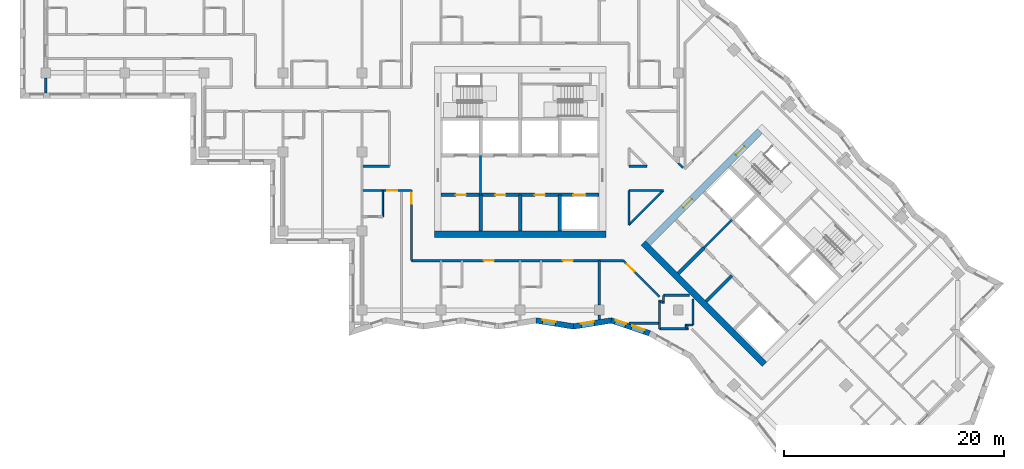
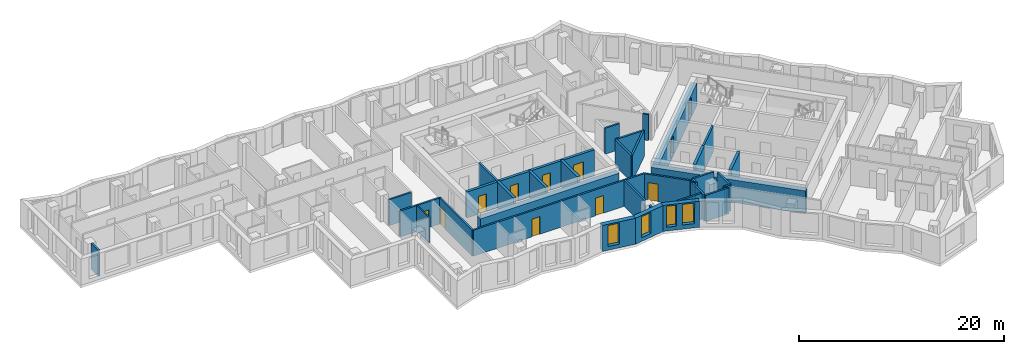
# One storey, part 3 of 12: 37 walls, 11 doors, 4 windows, 15 openings.
"""IFC4 building model written with IfcOpenShell, lengths in metres."""

from ifc_helpers import new_model, si_unit, direction, frame, frame_2d, origin, place, context, subcontext, project, spatial, polyline, rectangle, outline, extrude, material, layer, layer_set, type_object, element, fill, save


model = new_model("IFC4")

# Units and contexts
model_context = context("Model", 3, precision=1e-05, world=origin(), true_north=direction((0.0, 1.0)))
body_context = subcontext(model_context, "Body", "Model", "MODEL_VIEW")
ifc_project = project(units=[si_unit("LENGTHUNIT", "METRE"), si_unit("AREAUNIT", "SQUARE_METRE"), si_unit("VOLUMEUNIT", "CUBIC_METRE"), si_unit("PLANEANGLEUNIT", "RADIAN"), si_unit("MASSUNIT", "GRAM", prefix="KILO")], contexts=[model_context])

# Site, building, storey
site_placement = place(None, origin())
site = spatial("IfcSite", under=ifc_project, at=site_placement, CompositionType="ELEMENT")
building_placement = place(site_placement, origin())
building = spatial("IfcBuilding", under=site, at=building_placement, Name="Windrow Commons", CompositionType="ELEMENT")
storey_placement = place(building_placement, frame((0.0, 0.0, 162.6)))
storey = spatial("IfcBuildingStorey", under=building, at=storey_placement, Name="L44", CompositionType="ELEMENT", Elevation=162.6)

# Wall, opening, window
ifc_material_1 = material(Name="Brick masonry, red clay brick", Category="masonry")
ifc_layer_1 = layer(ifc_material_1, 0.5)
ifc_layer_set_1 = layer_set([ifc_layer_1], Name="Brick facade wall 500")
wall_type_1 = type_object("IfcWallType", Name="Brick facade wall 500", PredefinedType="SOLIDWALL", material=ifc_layer_set_1)
wall_1_placement = place(storey_placement, frame((66.2518, 42.2531, 0.0), z_axis=(0.0, 0.0, 1.0), x_axis=(0.9876056196, -0.1569558544, 0.0)))
wall_1 = element("IfcWall", 1, at=wall_1_placement, inside=storey, type_object=wall_type_1, Name="Brick facade wall L44 47", PredefinedType="SOLIDWALL", context=body_context, shape_type="SweptSolid", body=[
    extrude(outline(polyline([(0.0397, -0.25), (3.4929, -0.25), (3.4134, 0.25), (-0.0397, 0.25), (0.0397, -0.25)])), origin(), (0.0, 0.0, 1.0), 3.1),
])
opening_1_placement = place(wall_1_placement, frame((0.5876, 0.0, 0.45)))
opening_1 = element("IfcOpeningElement", 2, at=opening_1_placement, cuts=wall_1, Name="Opening W7E", PredefinedType="OPENING", context=body_context, shape_type="SweptSolid", body=[
    extrude(rectangle(XDim=1.2, YDim=2.5, at=frame_2d((0.6, 1.25))), frame((0.0, 0.26, 0.0), z_axis=(0.0, -1.0, 0.0), x_axis=(1.0, 0.0, 0.0)), (0.0, 0.0, 1.0), 0.52),
])
ifc_material_2 = material(Name="Clear float glass in anodised aluminium frame", Category="aluminium")
window_type_1 = type_object("IfcWindowType", Name="Window W7 notch 1200x2500", PartitioningType="SINGLE_PANEL", PredefinedType="WINDOW", material=ifc_material_2)
window_1_placement = place(opening_1_placement, origin())
window_1 = element("IfcWindow", 3, at=window_1_placement, inside=storey, type_object=window_type_1, Name="Window L44 47.1", OverallHeight=2.5, OverallWidth=1.2, PartitioningType="SINGLE_PANEL", PredefinedType="WINDOW", context=body_context, shape_type="SweptSolid", body=[
    extrude(rectangle(XDim=1.2, YDim=2.5, at=frame_2d((0.6, 1.25))), frame((0.0, 0.18, 0.0), z_axis=(0.0, -1.0, 0.0), x_axis=(1.0, 0.0, 0.0)), (0.0, 0.0, 1.0), 0.06),
])
fill(opening_1, window_1)

wall_2_placement = place(storey_placement, frame((69.6622, 41.7111, 0.0), z_axis=(0.0, 0.0, 1.0), x_axis=(0.9876042465, 0.1569644935, 0.0)))
wall_2 = element("IfcWall", 4, at=wall_2_placement, inside=storey, type_object=wall_type_1, Name="Brick facade wall L44 48", PredefinedType="SOLIDWALL", context=body_context, shape_type="SweptSolid", body=[
    extrude(outline(polyline([(-0.0397, -0.25), (3.4134, -0.25), (3.536, 0.25), (0.0397, 0.25), (-0.0397, -0.25)])), origin(), (0.0, 0.0, 1.0), 3.1),
])
opening_2_placement = place(wall_2_placement, frame((0.7035, 0.0, 0.45)))
opening_2 = element("IfcOpeningElement", 5, at=opening_2_placement, cuts=wall_2, Name="Opening W7E", PredefinedType="OPENING", context=body_context, shape_type="SweptSolid", body=[
    extrude(rectangle(XDim=1.2, YDim=2.5, at=frame_2d((0.6, 1.25))), frame((0.0, 0.26, 0.0), z_axis=(0.0, -1.0, 0.0), x_axis=(1.0, 0.0, 0.0)), (0.0, 0.0, 1.0), 0.52),
])
window_2_placement = place(opening_2_placement, origin())
window_2 = element("IfcWindow", 6, at=window_2_placement, inside=storey, type_object=window_type_1, Name="Window L44 48.1", OverallHeight=2.5, OverallWidth=1.2, PartitioningType="SINGLE_PANEL", PredefinedType="WINDOW", context=body_context, shape_type="SweptSolid", body=[
    extrude(rectangle(XDim=1.2, YDim=2.5, at=frame_2d((0.6, 1.25))), frame((0.0, 0.18, 0.0), z_axis=(0.0, -1.0, 0.0), x_axis=(1.0, 0.0, 0.0)), (0.0, 0.0, 1.0), 0.06),
])
fill(opening_2, window_2)

# Wall, openings, windows
wall_3_placement = place(storey_placement, frame((73.0938, 42.2565, 0.0), z_axis=(0.0, 0.0, 1.0), x_axis=(0.9482477624, -0.3175313861, 0.0)))
wall_3 = element("IfcWall", 7, at=wall_3_placement, inside=storey, type_object=wall_type_1, Name="Brick facade wall L44 49", PredefinedType="SOLIDWALL", context=body_context, shape_type="SweptSolid", body=[
    extrude(outline(polyline([(0.0613, -0.25), (3.6578, -0.25), (3.7048, 0.25), (-0.0613, 0.25), (0.0613, -0.25)])), origin(), (0.0, 0.0, 1.0), 3.1),
])
opening_3_placement = place(wall_3_placement, frame((0.376, 0.0, 0.45)))
opening_3 = element("IfcOpeningElement", 8, at=opening_3_placement, cuts=wall_3, Name="Opening W1S", PredefinedType="OPENING", context=body_context, shape_type="SweptSolid", body=[
    extrude(rectangle(XDim=1.0, YDim=2.5, at=frame_2d((0.5, 1.25))), frame((0.0, 0.26, 0.0), z_axis=(0.0, -1.0, 0.0), x_axis=(1.0, 0.0, 0.0)), (0.0, 0.0, 1.0), 0.52),
])
opening_4_placement = place(wall_3_placement, frame((1.9666, 0.0, 0.5)))
opening_4 = element("IfcOpeningElement", 9, at=opening_4_placement, cuts=wall_3, Name="Opening W7D", PredefinedType="OPENING", context=body_context, shape_type="SweptSolid", body=[
    extrude(rectangle(XDim=1.2, YDim=2.45, at=frame_2d((0.6, 1.225))), frame((0.0, 0.26, 0.0), z_axis=(0.0, -1.0, 0.0), x_axis=(1.0, 0.0, 0.0)), (0.0, 0.0, 1.0), 0.52),
])
ifc_material_3 = material(Name="Clear float glass in anodised aluminium frame", Category="aluminium")
window_type_2 = type_object("IfcWindowType", Name="Window W1S slit 1000x2500", PartitioningType="SINGLE_PANEL", PredefinedType="WINDOW", material=ifc_material_3)
window_3_placement = place(opening_3_placement, origin())
window_3 = element("IfcWindow", 10, at=window_3_placement, inside=storey, type_object=window_type_2, Name="Window L44 49.1A", OverallHeight=2.5, OverallWidth=1.0, PartitioningType="SINGLE_PANEL", PredefinedType="WINDOW", context=body_context, shape_type="SweptSolid", body=[
    extrude(rectangle(XDim=1.0, YDim=2.5, at=frame_2d((0.5, 1.25))), frame((0.0, 0.18, 0.0), z_axis=(0.0, -1.0, 0.0), x_axis=(1.0, 0.0, 0.0)), (0.0, 0.0, 1.0), 0.06),
])
fill(opening_3, window_3)
ifc_material_4 = material(Name="Clear float glass in anodised aluminium frame", Category="aluminium")
window_type_3 = type_object("IfcWindowType", Name="Window W7 notch 1200x2450", PartitioningType="SINGLE_PANEL", PredefinedType="WINDOW", material=ifc_material_4)
window_4_placement = place(opening_4_placement, origin())
window_4 = element("IfcWindow", 11, at=window_4_placement, inside=storey, type_object=window_type_3, Name="Window L44 49.1B", OverallHeight=2.45, OverallWidth=1.2, PartitioningType="SINGLE_PANEL", PredefinedType="WINDOW", context=body_context, shape_type="SweptSolid", body=[
    extrude(rectangle(XDim=1.2, YDim=2.45, at=frame_2d((0.6, 1.225))), frame((0.0, 0.18, 0.0), z_axis=(0.0, -1.0, 0.0), x_axis=(1.0, 0.0, 0.0)), (0.0, 0.0, 1.0), 0.06),
])
fill(opening_4, window_4)

# Walls
ifc_material_5 = material(Name="Blockwork partition", Category="masonry")
ifc_layer_2 = layer(ifc_material_5, 0.2)
ifc_layer_set_2 = layer_set([ifc_layer_2], Name="Fire lobby partition 200")
wall_type_2 = type_object("IfcWallType", Name="Fire lobby partition 200", PredefinedType="PARTITIONING", material=ifc_layer_set_2)
for number, where, z_axis, x_axis, name in (
    (12, (61.2, 53.7, 0.0), (0.0, 0.0, 1.0), (0.0, 1.0, 0.0), "W-core-lobby-A-L44"),
    (13, (81.5335, 48.8776, 0.0), (0.0, 0.0, 1.0), (0.707092892, 0.7071206701, 0.0), "W-core-lobby-B-L44"),
):
    element("IfcWall", number, at=place(storey_placement, frame(where, z_axis=z_axis, x_axis=x_axis)), inside=storey, type_object=wall_type_2, Name=name, PredefinedType="PARTITIONING", context=body_context, shape_type="SweptSolid", body=[
        extrude(rectangle(XDim=3.6, YDim=0.2, at=frame_2d((1.8, 0.0))), origin(), (0.0, 0.0, 1.0), 3.1),
    ])

# Wall, openings, doors
ifc_material_6 = material(Name="Blockwork partition", Category="masonry")
ifc_layer_3 = layer(ifc_material_6, 0.2)
ifc_layer_set_3 = layer_set([ifc_layer_3], Name="IW-CORRIDOR-200")
wall_type_3 = type_object("IfcWallType", Name="IW-CORRIDOR-200", PredefinedType="PARTITIONING", material=ifc_layer_set_3)
wall_4_placement = place(storey_placement, frame((54.9, 47.7, 0.0), z_axis=(0.0, 0.0, 1.0), x_axis=(1.0, 0.0, 0.0)))
wall_4 = element("IfcWall", 14, at=wall_4_placement, inside=storey, type_object=wall_type_3, Name="W-L44-W001", PredefinedType="PARTITIONING", context=body_context, shape_type="SweptSolid", body=[
    extrude(rectangle(XDim=19.326, YDim=0.2, at=frame_2d((9.663, 0.0))), origin(), (0.0, 0.0, 1.0), 3.1),
])
opening_5_placement = place(wall_4_placement, frame((6.5994, 0.0, 0.0)))
opening_5 = element("IfcOpeningElement", 15, at=opening_5_placement, cuts=wall_4, Name="Opening D109F", PredefinedType="OPENING", context=body_context, shape_type="SweptSolid", body=[
    extrude(rectangle(XDim=0.9, YDim=2.1, at=frame_2d((0.45, 1.05))), frame((0.0, 0.11, 0.0), z_axis=(0.0, -1.0, 0.0), x_axis=(1.0, 0.0, 0.0)), (0.0, 0.0, 1.0), 0.22),
])
opening_6_placement = place(wall_4_placement, frame((13.7994, 0.0, 0.0)))
opening_6 = element("IfcOpeningElement", 16, at=opening_6_placement, cuts=wall_4, Name="Opening D109F", PredefinedType="OPENING", context=body_context, shape_type="SweptSolid", body=[
    extrude(rectangle(XDim=0.9, YDim=2.1, at=frame_2d((0.45, 1.05))), frame((0.0, 0.11, 0.0), z_axis=(0.0, -1.0, 0.0), x_axis=(1.0, 0.0, 0.0)), (0.0, 0.0, 1.0), 0.22),
])
ifc_material_7 = material(Name="Timber door leaf", Category="wood")
door_type_1 = type_object("IfcDoorType", Name="DT-BEDROOM-900", OperationType="SINGLE_SWING_LEFT", PredefinedType="DOOR", material=ifc_material_7)
door_1_placement = place(opening_5_placement, origin())
door_1 = element("IfcDoor", 17, at=door_1_placement, inside=storey, type_object=door_type_1, Name="D-L44-D031", OperationType="SINGLE_SWING_LEFT", OverallHeight=2.1, OverallWidth=0.9, PredefinedType="DOOR", context=body_context, shape_type="SweptSolid", body=[
    extrude(rectangle(XDim=0.9, YDim=2.1, at=frame_2d((0.45, 1.05))), frame((0.0, 0.025, 0.0), z_axis=(0.0, -1.0, 0.0), x_axis=(1.0, 0.0, 0.0)), (0.0, 0.0, 1.0), 0.05),
])
fill(opening_5, door_1)
door_2_placement = place(opening_6_placement, origin())
door_2 = element("IfcDoor", 18, at=door_2_placement, inside=storey, type_object=door_type_1, Name="D-L44-D033", OperationType="SINGLE_SWING_LEFT", OverallHeight=2.1, OverallWidth=0.9, PredefinedType="DOOR", context=body_context, shape_type="SweptSolid", body=[
    extrude(rectangle(XDim=0.9, YDim=2.1, at=frame_2d((0.45, 1.05))), frame((0.0, 0.025, 0.0), z_axis=(0.0, -1.0, 0.0), x_axis=(1.0, 0.0, 0.0)), (0.0, 0.0, 1.0), 0.05),
])
fill(opening_6, door_2)

# Wall, opening, door
wall_5_placement = place(storey_placement, frame((54.9, 47.7, 0.0), z_axis=(0.0, 0.0, 1.0), x_axis=(0.0, 1.0, 0.0)))
wall_5 = element("IfcWall", 19, at=wall_5_placement, inside=storey, type_object=wall_type_3, Name="W-L44-W021", PredefinedType="PARTITIONING", context=body_context, shape_type="SweptSolid", body=[
    extrude(rectangle(XDim=6.4, YDim=0.2, at=frame_2d((3.2, 0.0))), origin(), (0.0, 0.0, 1.0), 3.1),
])
opening_7_placement = place(wall_5_placement, frame((5.1985, 0.0, 0.0)))
opening_7 = element("IfcOpeningElement", 20, at=opening_7_placement, cuts=wall_5, Name="Opening D310F", PredefinedType="OPENING", context=body_context, shape_type="SweptSolid", body=[
    extrude(rectangle(XDim=1.0, YDim=2.1, at=frame_2d((0.5, 1.05))), frame((0.0, 0.11, 0.0), z_axis=(0.0, -1.0, 0.0), x_axis=(1.0, 0.0, 0.0)), (0.0, 0.0, 1.0), 0.22),
])
ifc_material_8 = material(Name="Timber door leaf", Category="wood")
door_type_2 = type_object("IfcDoorType", Name="DT-AMENITY-1000", OperationType="SINGLE_SWING_LEFT", PredefinedType="DOOR", material=ifc_material_8)
door_3_placement = place(opening_7_placement, origin())
door_3 = element("IfcDoor", 21, at=door_3_placement, inside=storey, type_object=door_type_2, Name="D-L44-D028", OperationType="SINGLE_SWING_RIGHT", OverallHeight=2.1, OverallWidth=1.0, PredefinedType="DOOR", context=body_context, shape_type="SweptSolid", body=[
    extrude(rectangle(XDim=1.0, YDim=2.1, at=frame_2d((0.5, 1.05))), frame((0.0, 0.025, 0.0), z_axis=(0.0, -1.0, 0.0), x_axis=(1.0, 0.0, 0.0)), (0.0, 0.0, 1.0), 0.05),
])
fill(opening_7, door_3)

wall_6_placement = place(storey_placement, frame((74.2227, 47.6967, 0.0), z_axis=(0.0, 0.0, 1.0), x_axis=(0.7071067812, -0.7071067812, 0.0)))
wall_6 = element("IfcWall", 22, at=wall_6_placement, inside=storey, type_object=wall_type_3, Name="W-L44-W034", PredefinedType="PARTITIONING", context=body_context, shape_type="SweptSolid", body=[
    extrude(rectangle(XDim=4.6301, YDim=0.2, at=frame_2d((2.315, 0.0))), origin(), (0.0, 0.0, 1.0), 3.1),
])
opening_8_placement = place(wall_6_placement, frame((0.4008, 0.0, 0.0)))
opening_8 = element("IfcOpeningElement", 23, at=opening_8_placement, cuts=wall_6, Name="Opening D310F", PredefinedType="OPENING", context=body_context, shape_type="SweptSolid", body=[
    extrude(rectangle(XDim=1.0, YDim=2.1, at=frame_2d((0.5, 1.05))), frame((0.0, 0.11, 0.0), z_axis=(0.0, -1.0, 0.0), x_axis=(1.0, 0.0, 0.0)), (0.0, 0.0, 1.0), 0.22),
])
door_4_placement = place(opening_8_placement, origin())
door_4 = element("IfcDoor", 24, at=door_4_placement, inside=storey, type_object=door_type_2, Name="D-L44-D035", OperationType="SINGLE_SWING_LEFT", OverallHeight=2.1, OverallWidth=1.0, PredefinedType="DOOR", context=body_context, shape_type="SweptSolid", body=[
    extrude(rectangle(XDim=1.0, YDim=2.1, at=frame_2d((0.5, 1.05))), frame((0.0, 0.025, 0.0), z_axis=(0.0, -1.0, 0.0), x_axis=(1.0, 0.0, 0.0)), (0.0, 0.0, 1.0), 0.05),
])
fill(opening_8, door_4)

wall_7_placement = place(storey_placement, frame((50.4, 54.1, 0.0), z_axis=(0.0, 0.0, 1.0), x_axis=(1.0, 0.0, 0.0)))
wall_7 = element("IfcWall", 25, at=wall_7_placement, inside=storey, type_object=wall_type_3, Name="W-L44-W036", PredefinedType="PARTITIONING", context=body_context, shape_type="SweptSolid", body=[
    extrude(rectangle(XDim=4.5, YDim=0.2, at=frame_2d((2.25, 0.0))), origin(), (0.0, 0.0, 1.0), 3.1),
])
opening_9_placement = place(wall_7_placement, frame((2.3, 0.0, 0.0)))
opening_9 = element("IfcOpeningElement", 26, at=opening_9_placement, cuts=wall_7, Name="Opening D109S", PredefinedType="OPENING", context=body_context, shape_type="SweptSolid", body=[
    extrude(rectangle(XDim=0.9, YDim=2.1, at=frame_2d((0.45, 1.05))), frame((0.0, 0.11, 0.0), z_axis=(0.0, -1.0, 0.0), x_axis=(1.0, 0.0, 0.0)), (0.0, 0.0, 1.0), 0.22),
])
door_5_placement = place(opening_9_placement, origin())
door_5 = element("IfcDoor", 27, at=door_5_placement, inside=storey, type_object=door_type_1, Name="D-L44-D026", OperationType="SINGLE_SWING_LEFT", OverallHeight=2.1, OverallWidth=0.9, PredefinedType="DOOR", context=body_context, shape_type="SweptSolid", body=[
    extrude(rectangle(XDim=0.9, YDim=2.1, at=frame_2d((0.45, 1.05))), frame((0.0, 0.025, 0.0), z_axis=(0.0, -1.0, 0.0), x_axis=(1.0, 0.0, 0.0)), (0.0, 0.0, 1.0), 0.05),
])
fill(opening_9, door_5)

# Walls
wall_8_placement = place(storey_placement, frame((74.7013, 50.9567, 0.0), z_axis=(0.0, 0.0, 1.0), x_axis=(0.7071067812, 0.7071067812, 0.0)))
element("IfcWall", 28, at=wall_8_placement, inside=storey, type_object=wall_type_3, Name="W-L44-W038", PredefinedType="PARTITIONING", context=body_context, shape_type="SweptSolid", body=[
    extrude(rectangle(XDim=4.4435, YDim=0.2, at=frame_2d((2.2218, 0.0))), origin(), (0.0, 0.0, 1.0), 3.1),
])
wall_9_placement = place(storey_placement, frame((74.7, 50.956, 0.0), z_axis=(0.0, 0.0, 1.0), x_axis=(0.0, 1.0, 0.0)))
element("IfcWall", 29, at=wall_9_placement, inside=storey, type_object=wall_type_3, Name="W-L44-W058", PredefinedType="PARTITIONING", context=body_context, shape_type="SweptSolid", body=[
    extrude(rectangle(XDim=3.144, YDim=0.2, at=frame_2d((1.572, 0.0))), origin(), (0.0, 0.0, 1.0), 3.1),
])
wall_10_placement = place(storey_placement, frame((74.702, 54.1, 0.0), z_axis=(0.0, 0.0, 1.0), x_axis=(1.0, 0.0, 0.0)))
element("IfcWall", 30, at=wall_10_placement, inside=storey, type_object=wall_type_3, Name="W-L44-W059", PredefinedType="PARTITIONING", context=body_context, shape_type="SweptSolid", body=[
    extrude(rectangle(XDim=3.142, YDim=0.2, at=frame_2d((1.571, 0.0))), origin(), (0.0, 0.0, 1.0), 3.1),
])
wall_11_placement = place(storey_placement, frame((50.4, 56.3, 0.0), z_axis=(0.0, 0.0, 1.0), x_axis=(1.0, 0.0, 0.0)))
element("IfcWall", 31, at=wall_11_placement, inside=storey, type_object=wall_type_3, Name="W-L44-W066", PredefinedType="PARTITIONING", context=body_context, shape_type="SweptSolid", body=[
    extrude(rectangle(XDim=2.5, YDim=0.2, at=frame_2d((1.25, 0.0))), origin(), (0.0, 0.0, 1.0), 3.1),
])
for number, where, z_axis, x_axis, name in (
    (32, (80.55, 41.852, 0.0), (0.0, 0.0, 1.0), (0.0, 1.0, 0.0), "W-L44-W103"),
    (33, (77.852, 44.55, 0.0), (0.0, 0.0, 1.0), (1.0, 0.0, 0.0), "W-L44-W104"),
):
    element("IfcWall", number, at=place(storey_placement, frame(where, z_axis=z_axis, x_axis=x_axis)), inside=storey, type_object=wall_type_3, Name=name, PredefinedType="PARTITIONING", context=body_context, shape_type="SweptSolid", body=[
        extrude(rectangle(XDim=2.38, YDim=0.2, at=frame_2d((1.19, 0.0))), origin(), (0.0, 0.0, 1.0), 3.1),
    ])
wall_12_placement = place(storey_placement, frame((74.702, 56.3, 0.0), z_axis=(0.0, 0.0, 1.0), x_axis=(1.0, 0.0, 0.0)))
element("IfcWall", 34, at=wall_12_placement, inside=storey, type_object=wall_type_3, Name="W-L44-W130", PredefinedType="PARTITIONING", context=body_context, shape_type="SweptSolid", body=[
    extrude(rectangle(XDim=1.67, YDim=0.2, at=frame_2d((0.835, 0.0))), origin(), (0.0, 0.0, 1.0), 3.1),
])
for number, where, z_axis, x_axis, name in (
    (35, (77.85, 43.792, 0.0), (0.0, 0.0, 1.0), (0.0, 1.0, 0.0), "W-L44-W154"),
    (36, (79.792, 41.85, 0.0), (0.0, 0.0, 1.0), (1.0, 0.0, 0.0), "W-L44-W155"),
):
    element("IfcWall", number, at=place(storey_placement, frame(where, z_axis=z_axis, x_axis=x_axis)), inside=storey, type_object=wall_type_3, Name=name, PredefinedType="PARTITIONING", context=body_context, shape_type="SweptSolid", body=[
        extrude(rectangle(XDim=0.758, YDim=0.2, at=frame_2d((0.379, 0.0))), origin(), (0.0, 0.0, 1.0), 3.1),
    ])
wall_13_placement = place(storey_placement, frame((79.1982, 56.5842, 0.0), z_axis=(0.0, 0.0, 1.0), x_axis=(0.7054410477, -0.7087685999, 0.0)))
element("IfcWall", 37, at=wall_13_placement, inside=storey, type_object=wall_type_3, Name="W-L44-W163", PredefinedType="PARTITIONING", context=body_context, shape_type="SweptSolid", body=[
    extrude(rectangle(XDim=0.601, YDim=0.2, at=frame_2d((0.3005, 0.0))), origin(), (0.0, 0.0, 1.0), 3.1),
])
for number, where, z_axis, x_axis, name in (
    (38, (79.8812, 41.7553, 0.0), (0.0, 0.0, 1.0), (0.7071067812, -0.7071067812, 0.0), "W-L44-W173"),
    (39, (77.5962, 44.0403, 0.0), (0.0, 0.0, 1.0), (0.7071067812, -0.7071067812, 0.0), "W-L44-W174"),
):
    element("IfcWall", number, at=place(storey_placement, frame(where, z_axis=z_axis, x_axis=x_axis)), inside=storey, type_object=wall_type_3, Name=name, PredefinedType="PARTITIONING", context=body_context, shape_type="SweptSolid", body=[
        extrude(rectangle(XDim=0.225, YDim=0.2, at=frame_2d((0.1125, 0.0))), origin(), (0.0, 0.0, 1.0), 3.1),
    ])
ifc_material_9 = material(Name="Blockwork partition", Category="masonry")
ifc_layer_4 = layer(ifc_material_9, 0.15)
ifc_layer_set_4 = layer_set([ifc_layer_4], Name="IW-ENSUITE-150")
wall_type_4 = type_object("IfcWallType", Name="IW-ENSUITE-150", PredefinedType="PARTITIONING", material=ifc_layer_set_4)
wall_14_placement = place(storey_placement, frame((52.3, 51.7, 0.0), z_axis=(0.0, 0.0, 1.0), x_axis=(0.0, 1.0, 0.0)))
element("IfcWall", 40, at=wall_14_placement, inside=storey, type_object=wall_type_4, Name="W-L44-W096", PredefinedType="PARTITIONING", context=body_context, shape_type="SweptSolid", body=[
    extrude(rectangle(XDim=2.4, YDim=0.15, at=frame_2d((1.2, 0.0))), origin(), (0.0, 0.0, 1.0), 3.1),
])
ifc_material_10 = material(Name="Blockwork partition", Category="masonry")
ifc_layer_5 = layer(ifc_material_10, 0.2)
ifc_layer_set_5 = layer_set([ifc_layer_5], Name="IW-PARTY-200")
wall_type_5 = type_object("IfcWallType", Name="IW-PARTY-200", PredefinedType="PARTITIONING", material=ifc_layer_set_5)
wall_15_placement = place(storey_placement, frame((72.0, 43.65, 0.0), z_axis=(0.0, 0.0, 1.0), x_axis=(0.0, 1.0, 0.0)))
element("IfcWall", 41, at=wall_15_placement, inside=storey, type_object=wall_type_5, Name="W-L44-W041", PredefinedType="PARTITIONING", context=body_context, shape_type="SweptSolid", body=[
    extrude(rectangle(XDim=4.05, YDim=0.2, at=frame_2d((2.025, 0.0))), origin(), (0.0, 0.0, 1.0), 3.1),
])
wall_16_placement = place(storey_placement, frame((74.6972, 42.0, 0.0), z_axis=(0.0, 0.0, 1.0), x_axis=(1.0, 0.0, 0.0)))
element("IfcWall", 42, at=wall_16_placement, inside=storey, type_object=wall_type_5, Name="W-L44-W062", PredefinedType="PARTITIONING", context=body_context, shape_type="SweptSolid", body=[
    extrude(rectangle(XDim=2.8028, YDim=0.2, at=frame_2d((1.4014, 0.0))), origin(), (0.0, 0.0, 1.0), 3.1),
])
for number, where, z_axis, x_axis, name in (
    (43, (77.5, 41.502, 0.0), (0.0, 0.0, 1.0), (0.0, 1.0, 0.0), "W-L44-W063"),
    (44, (77.502, 41.5, 0.0), (0.0, 0.0, 1.0), (1.0, 0.0, 0.0), "W-L44-W064"),
):
    element("IfcWall", number, at=place(storey_placement, frame(where, z_axis=z_axis, x_axis=x_axis)), inside=storey, type_object=wall_type_5, Name=name, PredefinedType="PARTITIONING", context=body_context, shape_type="SweptSolid", body=[
        extrude(rectangle(XDim=2.64, YDim=0.2, at=frame_2d((1.32, 0.0))), origin(), (0.0, 0.0, 1.0), 3.1),
    ])
wall_17_placement = place(storey_placement, frame((21.6, 62.958, 0.0), z_axis=(0.0, 0.0, 1.0), x_axis=(0.0, 1.0, 0.0)))
element("IfcWall", 45, at=wall_17_placement, inside=storey, type_object=wall_type_5, Name="W-L44-W136", PredefinedType="PARTITIONING", context=body_context, shape_type="SweptSolid", body=[
    extrude(rectangle(XDim=1.392, YDim=0.2, at=frame_2d((0.696, 0.0))), origin(), (0.0, 0.0, 1.0), 3.1),
])
wall_18_placement = place(storey_placement, frame((72.0, 42.3358, 0.0), z_axis=(0.0, 0.0, 1.0), x_axis=(0.0, 1.0, 0.0)))
element("IfcWall", 46, at=wall_18_placement, inside=storey, type_object=wall_type_5, Name="W-L44-W191", PredefinedType="PARTITIONING", context=body_context, shape_type="SweptSolid", body=[
    extrude(rectangle(XDim=0.4142, YDim=0.2, at=frame_2d((0.2071, 0.0))), origin(), (0.0, 0.0, 1.0), 3.1),
])
ifc_material_11 = material(Name="Concrete C50/60", Category="concrete")
ifc_layer_6 = layer(ifc_material_11, 0.6)
ifc_layer_set_6 = layer_set([ifc_layer_6], Name="RC CORE WALL 600 C50/60")
wall_type_6 = type_object("IfcWallType", Name="RC CORE WALL 600 C50/60", PredefinedType="SHEAR", material=ifc_layer_set_6)
for number, where, z_axis, x_axis, name in (
    (47, (57.0, 50.1, -0.3), (0.0, 0.0, 1.0), (1.0, 0.0, 0.0), "Core A wall outer-S"),
    (48, (76.018, 49.3019, -0.3), (0.0, 0.0, 1.0), (0.7071067812, -0.7071067812, 0.0), "Core B wall outer-S"),
):
    element("IfcWall", number, at=place(storey_placement, frame(where, z_axis=z_axis, x_axis=x_axis)), inside=storey, type_object=wall_type_6, Name=name, PredefinedType="SHEAR", context=body_context, shape_type="SweptSolid", body=[
        extrude(rectangle(XDim=15.6, YDim=0.6, at=frame_2d((7.8, 0.0))), origin(), (0.0, 0.0, 1.0), 2.7),
    ])

# Wall, openings, doors
wall_19_placement = place(storey_placement, frame((76.4423, 49.3019, -0.3), z_axis=(0.0, 0.0, 1.0), x_axis=(0.7071067812, 0.7071067812, 0.0)))
wall_19 = element("IfcWall", 49, at=wall_19_placement, inside=storey, type_object=wall_type_6, Name="Core B wall outer-W", PredefinedType="SHEAR", context=body_context, shape_type="SweptSolid", body=[
    extrude(rectangle(XDim=14.3999, YDim=0.6, at=frame_2d((7.2, 0.0))), origin(), (0.0, 0.0, 1.0), 2.7),
])
opening_10_placement = place(wall_19_placement, frame((4.55, 0.0, 0.3)))
opening_10 = element("IfcOpeningElement", 50, at=opening_10_placement, cuts=wall_19, Name="Opening D6", PredefinedType="OPENING", context=body_context, shape_type="SweptSolid", body=[
    extrude(rectangle(XDim=1.1, YDim=2.1, at=frame_2d((0.55, 1.05))), frame((0.0, 0.31, 0.0), z_axis=(0.0, -1.0, 0.0), x_axis=(1.0, 0.0, 0.0)), (0.0, 0.0, 1.0), 0.62),
])
opening_11_placement = place(wall_19_placement, frame((11.35, 0.0, 0.3)))
opening_11 = element("IfcOpeningElement", 51, at=opening_11_placement, cuts=wall_19, Name="Opening D7", PredefinedType="OPENING", context=body_context, shape_type="SweptSolid", body=[
    extrude(rectangle(XDim=1.1, YDim=2.1, at=frame_2d((0.55, 1.05))), frame((0.0, 0.31, 0.0), z_axis=(0.0, -1.0, 0.0), x_axis=(1.0, 0.0, 0.0)), (0.0, 0.0, 1.0), 0.62),
])
ifc_material_12 = material(Name="Steel fire door leaf", Category="steel")
door_type_3 = type_object("IfcDoorType", Name="Core lobby door 1100", OperationType="SINGLE_SWING_LEFT", PredefinedType="DOOR", material=ifc_material_12)
door_6_placement = place(opening_10_placement, origin())
door_6 = element("IfcDoor", 52, at=door_6_placement, inside=storey, type_object=door_type_3, Name="Lift lobby door", OperationType="DOUBLE_DOOR_SINGLE_SWING", OverallHeight=2.1, OverallWidth=1.1, PredefinedType="DOOR", context=body_context, shape_type="SweptSolid", body=[
    extrude(rectangle(XDim=1.1, YDim=2.1, at=frame_2d((0.55, 1.05))), frame((0.0, 0.025, 0.0), z_axis=(0.0, -1.0, 0.0), x_axis=(1.0, 0.0, 0.0)), (0.0, 0.0, 1.0), 0.05),
])
fill(opening_10, door_6)
ifc_material_13 = material(Name="Steel fire door leaf", Category="steel")
door_type_4 = type_object("IfcDoorType", Name="Stair door 1100", OperationType="SINGLE_SWING_LEFT", PredefinedType="DOOR", material=ifc_material_13)
door_7_placement = place(opening_11_placement, origin())
door_7 = element("IfcDoor", 53, at=door_7_placement, inside=storey, type_object=door_type_4, Name="Stair door", OperationType="SINGLE_SWING_LEFT", OverallHeight=2.1, OverallWidth=1.1, PredefinedType="DOOR", context=body_context, shape_type="SweptSolid", body=[
    extrude(rectangle(XDim=1.1, YDim=2.1, at=frame_2d((0.55, 1.05))), frame((0.0, 0.025, 0.0), z_axis=(0.0, -1.0, 0.0), x_axis=(1.0, 0.0, 0.0)), (0.0, 0.0, 1.0), 0.05),
])
fill(opening_11, door_7)

# Walls
ifc_material_14 = material(Name="Concrete C50/60", Category="concrete")
ifc_layer_7 = layer(ifc_material_14, 0.3)
ifc_layer_set_7 = layer_set([ifc_layer_7], Name="RC SHAFT WALL 300 C50/60")
wall_type_7 = type_object("IfcWallType", Name="RC SHAFT WALL 300 C50/60", PredefinedType="SOLIDWALL", material=ifc_layer_set_7)
for number, where, z_axis, x_axis, name in (
    (54, (61.2, 50.4, 0.0), (0.0, 0.0, 1.0), (0.0, 1.0, 0.0), "Core A wall shaft-S1"),
    (55, (64.8, 50.4, 0.0), (0.0, 0.0, 1.0), (0.0, 1.0, 0.0), "Core A wall shaft-S2"),
    (56, (68.4, 50.4, 0.0), (0.0, 0.0, 1.0), (0.0, 1.0, 0.0), "Core A wall shaft-S3"),
):
    element("IfcWall", number, at=place(storey_placement, frame(where, z_axis=z_axis, x_axis=x_axis)), inside=storey, type_object=wall_type_7, Name=name, PredefinedType="SOLIDWALL", context=body_context, shape_type="SweptSolid", body=[
        extrude(rectangle(XDim=3.3, YDim=0.3, at=frame_2d((1.65, 0.0))), origin(), (0.0, 0.0, 1.0), 3.1),
    ])

# Wall, openings, doors
wall_20_placement = place(storey_placement, frame((57.6, 53.7, 0.0), z_axis=(0.0, 0.0, 1.0), x_axis=(1.0, 0.0, 0.0)))
wall_20 = element("IfcWall", 57, at=wall_20_placement, inside=storey, type_object=wall_type_7, Name="Core A wall lobby-S", PredefinedType="SOLIDWALL", context=body_context, shape_type="SweptSolid", body=[
    extrude(rectangle(XDim=14.4, YDim=0.3, at=frame_2d((7.2, 0.0))), origin(), (0.0, 0.0, 1.0), 3.1),
])
opening_12_placement = place(wall_20_placement, frame((1.35, 0.0, 0.0)))
opening_12 = element("IfcOpeningElement", 58, at=opening_12_placement, cuts=wall_20, Name="Opening D8", PredefinedType="OPENING", context=body_context, shape_type="SweptSolid", body=[
    extrude(rectangle(XDim=0.9, YDim=2.1, at=frame_2d((0.45, 1.05))), frame((0.0, 0.16, 0.0), z_axis=(0.0, -1.0, 0.0), x_axis=(1.0, 0.0, 0.0)), (0.0, 0.0, 1.0), 0.32),
])
opening_13_placement = place(wall_20_placement, frame((4.95, 0.0, 0.0)))
opening_13 = element("IfcOpeningElement", 59, at=opening_13_placement, cuts=wall_20, Name="Opening D8", PredefinedType="OPENING", context=body_context, shape_type="SweptSolid", body=[
    extrude(rectangle(XDim=0.9, YDim=2.1, at=frame_2d((0.45, 1.05))), frame((0.0, 0.16, 0.0), z_axis=(0.0, -1.0, 0.0), x_axis=(1.0, 0.0, 0.0)), (0.0, 0.0, 1.0), 0.32),
])
opening_14_placement = place(wall_20_placement, frame((8.55, 0.0, 0.0)))
opening_14 = element("IfcOpeningElement", 60, at=opening_14_placement, cuts=wall_20, Name="Opening D8", PredefinedType="OPENING", context=body_context, shape_type="SweptSolid", body=[
    extrude(rectangle(XDim=0.9, YDim=2.1, at=frame_2d((0.45, 1.05))), frame((0.0, 0.16, 0.0), z_axis=(0.0, -1.0, 0.0), x_axis=(1.0, 0.0, 0.0)), (0.0, 0.0, 1.0), 0.32),
])
opening_15_placement = place(wall_20_placement, frame((12.05, 0.0, 0.0)))
opening_15 = element("IfcOpeningElement", 61, at=opening_15_placement, cuts=wall_20, Name="Opening LD", PredefinedType="OPENING", context=body_context, shape_type="SweptSolid", body=[
    extrude(rectangle(XDim=1.1, YDim=2.1, at=frame_2d((0.55, 1.05))), frame((0.0, 0.16, 0.0), z_axis=(0.0, -1.0, 0.0), x_axis=(1.0, 0.0, 0.0)), (0.0, 0.0, 1.0), 0.32),
])
ifc_material_15 = material(Name="Steel fire door leaf", Category="steel")
door_type_5 = type_object("IfcDoorType", Name="Core store door 900", OperationType="SINGLE_SWING_LEFT", PredefinedType="DOOR", material=ifc_material_15)
door_8_placement = place(opening_12_placement, origin())
door_8 = element("IfcDoor", 62, at=door_8_placement, inside=storey, type_object=door_type_5, Name="Store door", OperationType="SINGLE_SWING_LEFT", OverallHeight=2.1, OverallWidth=0.9, PredefinedType="DOOR", context=body_context, shape_type="SweptSolid", body=[
    extrude(rectangle(XDim=0.9, YDim=2.1, at=frame_2d((0.45, 1.05))), frame((0.0, 0.025, 0.0), z_axis=(0.0, -1.0, 0.0), x_axis=(1.0, 0.0, 0.0)), (0.0, 0.0, 1.0), 0.05),
])
fill(opening_12, door_8)
door_9_placement = place(opening_13_placement, origin())
door_9 = element("IfcDoor", 63, at=door_9_placement, inside=storey, type_object=door_type_5, Name="Store door", OperationType="SINGLE_SWING_LEFT", OverallHeight=2.1, OverallWidth=0.9, PredefinedType="DOOR", context=body_context, shape_type="SweptSolid", body=[
    extrude(rectangle(XDim=0.9, YDim=2.1, at=frame_2d((0.45, 1.05))), frame((0.0, 0.025, 0.0), z_axis=(0.0, -1.0, 0.0), x_axis=(1.0, 0.0, 0.0)), (0.0, 0.0, 1.0), 0.05),
])
fill(opening_13, door_9)
door_10_placement = place(opening_14_placement, origin())
door_10 = element("IfcDoor", 64, at=door_10_placement, inside=storey, type_object=door_type_5, Name="Store door", OperationType="SINGLE_SWING_LEFT", OverallHeight=2.1, OverallWidth=0.9, PredefinedType="DOOR", context=body_context, shape_type="SweptSolid", body=[
    extrude(rectangle(XDim=0.9, YDim=2.1, at=frame_2d((0.45, 1.05))), frame((0.0, 0.025, 0.0), z_axis=(0.0, -1.0, 0.0), x_axis=(1.0, 0.0, 0.0)), (0.0, 0.0, 1.0), 0.05),
])
fill(opening_14, door_10)
ifc_material_16 = material(Name="Stainless steel door leaf", Category="steel")
door_type_6 = type_object("IfcDoorType", Name="Lift landing door 1100", OperationType="SLIDING_TO_LEFT", PredefinedType="DOOR", material=ifc_material_16)
door_11_placement = place(opening_15_placement, origin())
door_11 = element("IfcDoor", 65, at=door_11_placement, inside=storey, type_object=door_type_6, Name="Lift landing door", OperationType="SLIDING_TO_RIGHT", OverallHeight=2.1, OverallWidth=1.1, PredefinedType="DOOR", context=body_context, shape_type="SweptSolid", body=[
    extrude(rectangle(XDim=1.1, YDim=2.1, at=frame_2d((0.55, 1.05))), frame((0.0, 0.025, 0.0), z_axis=(0.0, -1.0, 0.0), x_axis=(1.0, 0.0, 0.0)), (0.0, 0.0, 1.0), 0.05),
])
fill(opening_15, door_11)

# Walls
wall_21_placement = place(storey_placement, frame((79.2, 46.5442, 0.0), z_axis=(0.0, 0.0, 1.0), x_axis=(0.7071219326, 0.7070916295, 0.0)))
element("IfcWall", 66, at=wall_21_placement, inside=storey, type_object=wall_type_7, Name="Core B wall shaft-S1", PredefinedType="SOLIDWALL", context=body_context, shape_type="SweptSolid", body=[
    extrude(rectangle(XDim=3.3, YDim=0.3, at=frame_2d((1.65, 0.0))), origin(), (0.0, 0.0, 1.0), 3.1),
])
wall_22_placement = place(storey_placement, frame((81.7456, 43.9986, 0.0), z_axis=(0.0, 0.0, 1.0), x_axis=(0.7071067812, 0.7071067812, 0.0)))
element("IfcWall", 67, at=wall_22_placement, inside=storey, type_object=wall_type_7, Name="Core B wall shaft-S2", PredefinedType="SOLIDWALL", context=body_context, shape_type="SweptSolid", body=[
    extrude(rectangle(XDim=3.2999, YDim=0.3, at=frame_2d((1.65, 0.0))), origin(), (0.0, 0.0, 1.0), 3.1),
])

save(model, "model.ifc")
